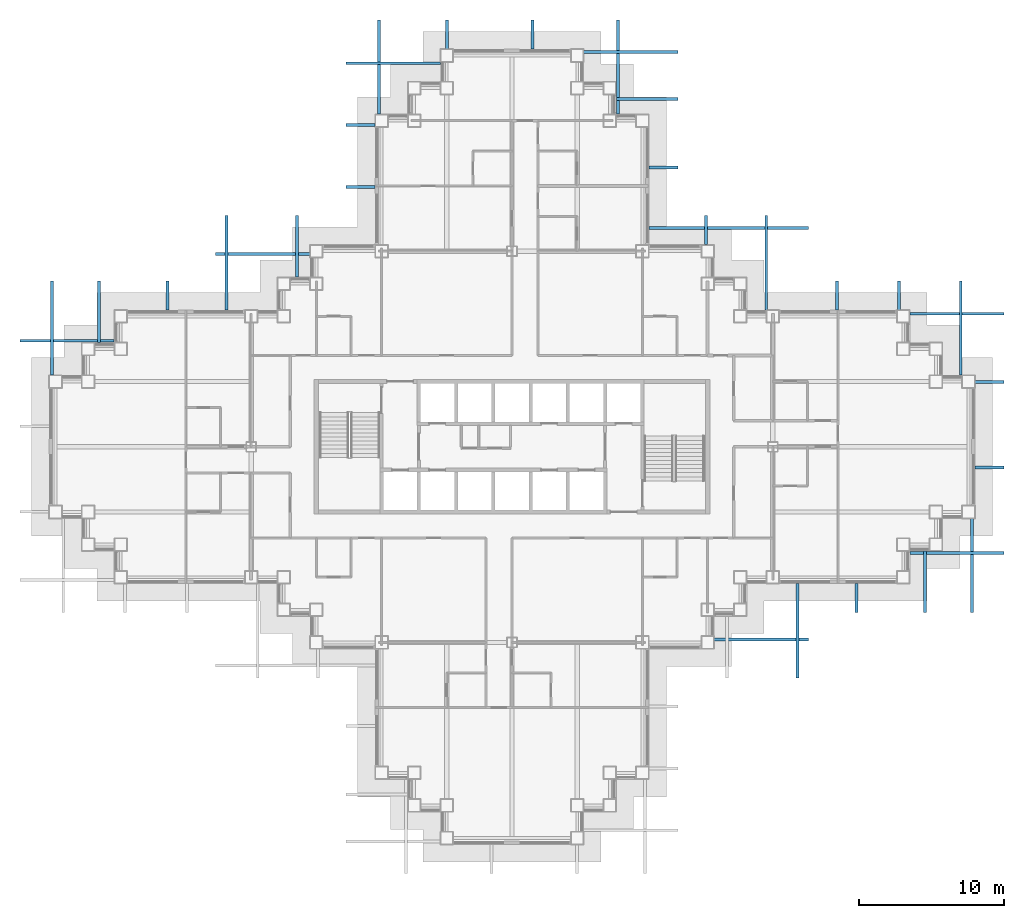
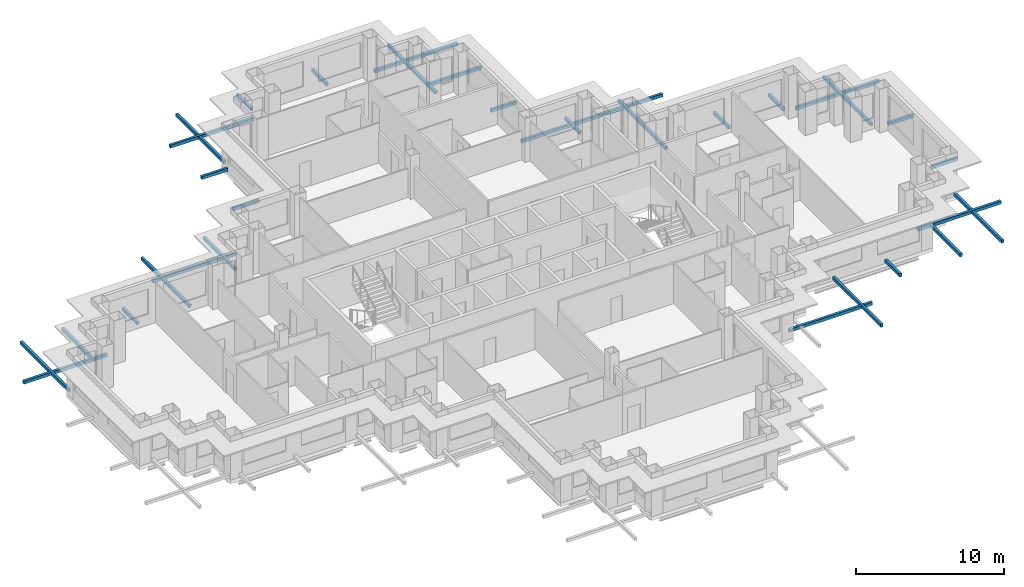
# One storey, part 10 of 15: 32 discrete accessories.
"""IFC4 building model written with IfcOpenShell, lengths in metres."""

from ifc_helpers import new_model, si_unit, direction, frame, origin, origin_2d, place, context, subcontext, project, spatial, rectangle, extrude, material, type_object, element, save


model = new_model("IFC4")

# Units and contexts
model_context = context("Model", 3, precision=1e-05, world=origin(), true_north=direction((0.0, 1.0)))
body_context = subcontext(model_context, "Body", "Model", "MODEL_VIEW")
ifc_project = project(units=[si_unit("LENGTHUNIT", "METRE"), si_unit("AREAUNIT", "SQUARE_METRE"), si_unit("VOLUMEUNIT", "CUBIC_METRE"), si_unit("PLANEANGLEUNIT", "RADIAN"), si_unit("MASSUNIT", "GRAM", prefix="KILO")], contexts=[model_context])

# Site, building, storey
site_placement = place(None, origin())
site = spatial("IfcSite", under=ifc_project, at=site_placement, CompositionType="ELEMENT")
building_placement = place(site_placement, origin())
building = spatial("IfcBuilding", under=site, at=building_placement, Name="Caravel Reach Hotel and Residences", CompositionType="ELEMENT")
storey_placement = place(building_placement, frame((0.0, 0.0, 111.60009765625)))
storey = spatial("IfcBuildingStorey", under=building, at=storey_placement, Name="L27", CompositionType="ELEMENT", Elevation=111.60009765625)

# Discrete accessories
ifc_material = material(Name="Black powder-coated aluminium", Category="aluminium")
discrete_accessory_type = type_object("IfcDiscreteAccessoryType", Name="BR1 Screen bracket", PredefinedType="BRACKET", material=ifc_material)
for number, where, z_axis, x_axis, name in (
    (1, (51.195068359375, 14.300048828125, 0.099853515625), (0.0, 0.0, 1.0), (0.0, -1.0, 0.0), "Screen bracket L27 4.2.2"),
    (2, (48.699951171875, 13.7099609375, 0.099853515625), (0.0, 0.0, 1.0), (1.0, 0.0, 0.0), "Screen bracket L27 5.1.2"),
):
    element("IfcDiscreteAccessory", number, at=place(storey_placement, frame(where, z_axis=z_axis, x_axis=x_axis)), inside=storey, type_object=discrete_accessory_type, Name=name, PredefinedType="BRACKET", context=body_context, shape_type="SweptSolid", body=[
        extrude(rectangle(XDim=6.5, YDim=0.199951171875, at=origin_2d()), origin(), (0.0, 0.0, 1.0), 0.25),
    ])
discrete_accessory_1_placement = place(storey_placement, frame((55.263427734375, 16.550048828125, 0.099853515625), z_axis=(0.0, 0.0, 1.0), x_axis=(0.0, -1.0, 0.0)))
element("IfcDiscreteAccessory", 3, at=discrete_accessory_1_placement, inside=storey, type_object=discrete_accessory_type, Name="Screen bracket L27 6.1.2", PredefinedType="BRACKET", context=body_context, shape_type="SweptSolid", body=[
    extrude(rectangle(XDim=2.0, YDim=0.199951171875, at=origin_2d()), origin(), (0.0, 0.0, 1.0), 0.25),
])
discrete_accessory_2_placement = place(storey_placement, frame((59.99658203125, 17.675048828125, 0.099853515625), z_axis=(0.0, 0.0, 1.0), x_axis=(0.0, -1.0, 0.0)))
element("IfcDiscreteAccessory", 4, at=discrete_accessory_2_placement, inside=storey, type_object=discrete_accessory_type, Name="Screen bracket L27 6.2.2", PredefinedType="BRACKET", context=body_context, shape_type="SweptSolid", body=[
    extrude(rectangle(XDim=4.25, YDim=0.199951171875, at=origin_2d()), origin(), (0.0, 0.0, 1.0), 0.25),
])
for number, where, z_axis, x_axis, name in (
    (5, (63.22998046875, 18.800048828125, 0.099853515625), (0.0, 0.0, 1.0), (0.0, -1.0, 0.0), "Screen bracket L27 6.3.2"),
    (6, (62.199951171875, 19.679931640625, 0.099853515625), (0.0, 0.0, 1.0), (1.0, 0.0, 0.0), "Screen bracket L27 7.1.2"),
):
    element("IfcDiscreteAccessory", number, at=place(storey_placement, frame(where, z_axis=z_axis, x_axis=x_axis)), inside=storey, type_object=discrete_accessory_type, Name=name, PredefinedType="BRACKET", context=body_context, shape_type="SweptSolid", body=[
        extrude(rectangle(XDim=6.5, YDim=0.199951171875, at=origin_2d()), origin(), (0.0, 0.0, 1.0), 0.25),
    ])
for number, where, z_axis, x_axis, name in (
    (7, (64.449951171875, 25.580078125, 0.099853515625), (0.0, 0.0, 1.0), (1.0, 0.0, 0.0), "Screen bracket L27 7.2.2"),
    (8, (64.449951171875, 31.47998046875, 0.099853515625), (0.0, 0.0, 1.0), (1.0, 0.0, 0.0), "Screen bracket L27 7.3.2"),
):
    element("IfcDiscreteAccessory", number, at=place(storey_placement, frame(where, z_axis=z_axis, x_axis=x_axis)), inside=storey, type_object=discrete_accessory_type, Name=name, PredefinedType="BRACKET", context=body_context, shape_type="SweptSolid", body=[
        extrude(rectangle(XDim=2.0, YDim=0.199951171875, at=origin_2d()), origin(), (0.0, 0.0, 1.0), 0.25),
    ])
for number, where, z_axis, x_axis, name in (
    (9, (62.199951171875, 36.179931640625, 0.099853515625), (0.0, 0.0, 1.0), (1.0, 0.0, 0.0), "Screen bracket L27 7.4.2"),
    (10, (62.46337890625, 35.199951171875, 0.099853515625), (0.0, 0.0, 1.0), (0.0, 1.0, 0.0), "Screen bracket L27 8.1.2"),
):
    element("IfcDiscreteAccessory", number, at=place(storey_placement, frame(where, z_axis=z_axis, x_axis=x_axis)), inside=storey, type_object=discrete_accessory_type, Name=name, PredefinedType="BRACKET", context=body_context, shape_type="SweptSolid", body=[
        extrude(rectangle(XDim=6.5, YDim=0.199951171875, at=origin_2d()), origin(), (0.0, 0.0, 1.0), 0.25),
    ])
for number, where, z_axis, x_axis, name in (
    (11, (58.19677734375, 37.449951171875, 0.099853515625), (0.0, 0.0, 1.0), (0.0, 1.0, 0.0), "Screen bracket L27 8.2.2"),
    (12, (53.929931640625, 37.449951171875, 0.099853515625), (0.0, 0.0, 1.0), (0.0, 1.0, 0.0), "Screen bracket L27 8.3.2"),
):
    element("IfcDiscreteAccessory", number, at=place(storey_placement, frame(where, z_axis=z_axis, x_axis=x_axis)), inside=storey, type_object=discrete_accessory_type, Name=name, PredefinedType="BRACKET", context=body_context, shape_type="SweptSolid", body=[
        extrude(rectangle(XDim=2.0, YDim=0.199951171875, at=origin_2d()), origin(), (0.0, 0.0, 1.0), 0.25),
    ])
discrete_accessory_3_placement = place(storey_placement, frame((46.449951171875, 42.090087890625, 0.099853515625), z_axis=(0.0, 0.0, 1.0), x_axis=(1.0, 0.0, 0.0)))
element("IfcDiscreteAccessory", 13, at=discrete_accessory_3_placement, inside=storey, type_object=discrete_accessory_type, Name="Screen bracket L27 9.1.2", PredefinedType="BRACKET", context=body_context, shape_type="SweptSolid", body=[
    extrude(rectangle(XDim=11.0, YDim=0.199951171875, at=origin_2d()), origin(), (0.0, 0.0, 1.0), 0.25),
])
discrete_accessory_4_placement = place(storey_placement, frame((49.044921875, 39.699951171875, 0.099853515625), z_axis=(0.0, 0.0, 1.0), x_axis=(0.0, 1.0, 0.0)))
element("IfcDiscreteAccessory", 14, at=discrete_accessory_4_placement, inside=storey, type_object=discrete_accessory_type, Name="Screen bracket L27 10.1.2", PredefinedType="BRACKET", context=body_context, shape_type="SweptSolid", body=[
    extrude(rectangle(XDim=6.5, YDim=0.199951171875, at=origin_2d()), origin(), (0.0, 0.0, 1.0), 0.25),
])
for number, where, z_axis, x_axis, name in (
    (15, (44.89501953125, 41.949951171875, 0.099853515625), (0.0, 0.0, 1.0), (0.0, 1.0, 0.0), "Screen bracket L27 10.2.2"),
    (16, (41.949951171875, 46.263427734375, 0.099853515625), (0.0, 0.0, 1.0), (1.0, 0.0, 0.0), "Screen bracket L27 11.1.2"),
):
    element("IfcDiscreteAccessory", number, at=place(storey_placement, frame(where, z_axis=z_axis, x_axis=x_axis)), inside=storey, type_object=discrete_accessory_type, Name=name, PredefinedType="BRACKET", context=body_context, shape_type="SweptSolid", body=[
        extrude(rectangle(XDim=2.0, YDim=0.199951171875, at=origin_2d()), origin(), (0.0, 0.0, 1.0), 0.25),
    ])
discrete_accessory_5_placement = place(storey_placement, frame((40.824951171875, 50.99658203125, 0.099853515625), z_axis=(0.0, 0.0, 1.0), x_axis=(1.0, 0.0, 0.0)))
element("IfcDiscreteAccessory", 17, at=discrete_accessory_5_placement, inside=storey, type_object=discrete_accessory_type, Name="Screen bracket L27 11.2.2", PredefinedType="BRACKET", context=body_context, shape_type="SweptSolid", body=[
    extrude(rectangle(XDim=4.25, YDim=0.199951171875, at=origin_2d()), origin(), (0.0, 0.0, 1.0), 0.25),
])
for number, where, z_axis, x_axis, name in (
    (18, (39.699951171875, 54.22998046875, 0.099853515625), (0.0, 0.0, 1.0), (1.0, 0.0, 0.0), "Screen bracket L27 11.3.2"),
    (19, (38.820068359375, 53.199951171875, 0.099853515625), (0.0, 0.0, 1.0), (0.0, 1.0, 0.0), "Screen bracket L27 12.1.2"),
):
    element("IfcDiscreteAccessory", number, at=place(storey_placement, frame(where, z_axis=z_axis, x_axis=x_axis)), inside=storey, type_object=discrete_accessory_type, Name=name, PredefinedType="BRACKET", context=body_context, shape_type="SweptSolid", body=[
        extrude(rectangle(XDim=6.5, YDim=0.199951171875, at=origin_2d()), origin(), (0.0, 0.0, 1.0), 0.25),
    ])
for number, where, z_axis, x_axis, name in (
    (20, (32.919921875, 55.449951171875, 0.099853515625), (0.0, 0.0, 1.0), (0.0, 1.0, 0.0), "Screen bracket L27 12.2.2"),
    (21, (27.02001953125, 55.449951171875, 0.099853515625), (0.0, 0.0, 1.0), (0.0, 1.0, 0.0), "Screen bracket L27 12.3.2"),
):
    element("IfcDiscreteAccessory", number, at=place(storey_placement, frame(where, z_axis=z_axis, x_axis=x_axis)), inside=storey, type_object=discrete_accessory_type, Name=name, PredefinedType="BRACKET", context=body_context, shape_type="SweptSolid", body=[
        extrude(rectangle(XDim=2.0, YDim=0.199951171875, at=origin_2d()), origin(), (0.0, 0.0, 1.0), 0.25),
    ])
for number, where, z_axis, x_axis, name in (
    (22, (22.320068359375, 53.199951171875, 0.099853515625), (0.0, 0.0, 1.0), (0.0, 1.0, 0.0), "Screen bracket L27 12.4.2"),
    (23, (23.300048828125, 53.46337890625, 0.099853515625), (0.0, 0.0, 1.0), (-1.0, 0.0, 0.0), "Screen bracket L27 13.1.2"),
):
    element("IfcDiscreteAccessory", number, at=place(storey_placement, frame(where, z_axis=z_axis, x_axis=x_axis)), inside=storey, type_object=discrete_accessory_type, Name=name, PredefinedType="BRACKET", context=body_context, shape_type="SweptSolid", body=[
        extrude(rectangle(XDim=6.5, YDim=0.199951171875, at=origin_2d()), origin(), (0.0, 0.0, 1.0), 0.25),
    ])
for number, where, z_axis, x_axis, name in (
    (24, (21.050048828125, 49.19677734375, 0.099853515625), (0.0, 0.0, 1.0), (-1.0, 0.0, 0.0), "Screen bracket L27 13.2.2"),
    (25, (21.050048828125, 44.929931640625, 0.099853515625), (0.0, 0.0, 1.0), (-1.0, 0.0, 0.0), "Screen bracket L27 13.3.2"),
):
    element("IfcDiscreteAccessory", number, at=place(storey_placement, frame(where, z_axis=z_axis, x_axis=x_axis)), inside=storey, type_object=discrete_accessory_type, Name=name, PredefinedType="BRACKET", context=body_context, shape_type="SweptSolid", body=[
        extrude(rectangle(XDim=2.0, YDim=0.199951171875, at=origin_2d()), origin(), (0.0, 0.0, 1.0), 0.25),
    ])
discrete_accessory_6_placement = place(storey_placement, frame((16.655029296875, 40.824951171875, 0.099853515625), z_axis=(0.0, 0.0, 1.0), x_axis=(0.0, 1.0, 0.0)))
element("IfcDiscreteAccessory", 26, at=discrete_accessory_6_placement, inside=storey, type_object=discrete_accessory_type, Name="Screen bracket L27 14.1.2", PredefinedType="BRACKET", context=body_context, shape_type="SweptSolid", body=[
    extrude(rectangle(XDim=4.25, YDim=0.199951171875, at=origin_2d()), origin(), (0.0, 0.0, 1.0), 0.25),
])
for number, where, z_axis, x_axis, name in (
    (27, (11.804931640625, 39.699951171875, 0.099853515625), (0.0, 0.0, 1.0), (0.0, 1.0, 0.0), "Screen bracket L27 14.2.2"),
    (28, (14.300048828125, 40.2900390625, 0.099853515625), (0.0, 0.0, 1.0), (-1.0, 0.0, 0.0), "Screen bracket L27 15.1.2"),
):
    element("IfcDiscreteAccessory", number, at=place(storey_placement, frame(where, z_axis=z_axis, x_axis=x_axis)), inside=storey, type_object=discrete_accessory_type, Name=name, PredefinedType="BRACKET", context=body_context, shape_type="SweptSolid", body=[
        extrude(rectangle(XDim=6.5, YDim=0.199951171875, at=origin_2d()), origin(), (0.0, 0.0, 1.0), 0.25),
    ])
discrete_accessory_7_placement = place(storey_placement, frame((7.736572265625, 37.449951171875, 0.099853515625), z_axis=(0.0, 0.0, 1.0), x_axis=(0.0, 1.0, 0.0)))
element("IfcDiscreteAccessory", 29, at=discrete_accessory_7_placement, inside=storey, type_object=discrete_accessory_type, Name="Screen bracket L27 16.1.2", PredefinedType="BRACKET", context=body_context, shape_type="SweptSolid", body=[
    extrude(rectangle(XDim=2.0, YDim=0.199951171875, at=origin_2d()), origin(), (0.0, 0.0, 1.0), 0.25),
])
discrete_accessory_8_placement = place(storey_placement, frame((3.00341796875, 36.324951171875, 0.099853515625), z_axis=(0.0, 0.0, 1.0), x_axis=(0.0, 1.0, 0.0)))
element("IfcDiscreteAccessory", 30, at=discrete_accessory_8_placement, inside=storey, type_object=discrete_accessory_type, Name="Screen bracket L27 16.2.2", PredefinedType="BRACKET", context=body_context, shape_type="SweptSolid", body=[
    extrude(rectangle(XDim=4.25, YDim=0.199951171875, at=origin_2d()), origin(), (0.0, 0.0, 1.0), 0.25),
])
for number, where, z_axis, x_axis, name in (
    (31, (-0.22998046875, 35.199951171875, 0.099853515625), (0.0, 0.0, 1.0), (0.0, 1.0, 0.0), "Screen bracket L27 16.3.2"),
    (32, (0.800048828125, 34.320068359375, 0.099853515625), (0.0, 0.0, 1.0), (-1.0, 0.0, 0.0), "Screen bracket L27 17.1.2"),
):
    element("IfcDiscreteAccessory", number, at=place(storey_placement, frame(where, z_axis=z_axis, x_axis=x_axis)), inside=storey, type_object=discrete_accessory_type, Name=name, PredefinedType="BRACKET", context=body_context, shape_type="SweptSolid", body=[
        extrude(rectangle(XDim=6.5, YDim=0.199951171875, at=origin_2d()), origin(), (0.0, 0.0, 1.0), 0.25),
    ])

save(model, "model.ifc")
